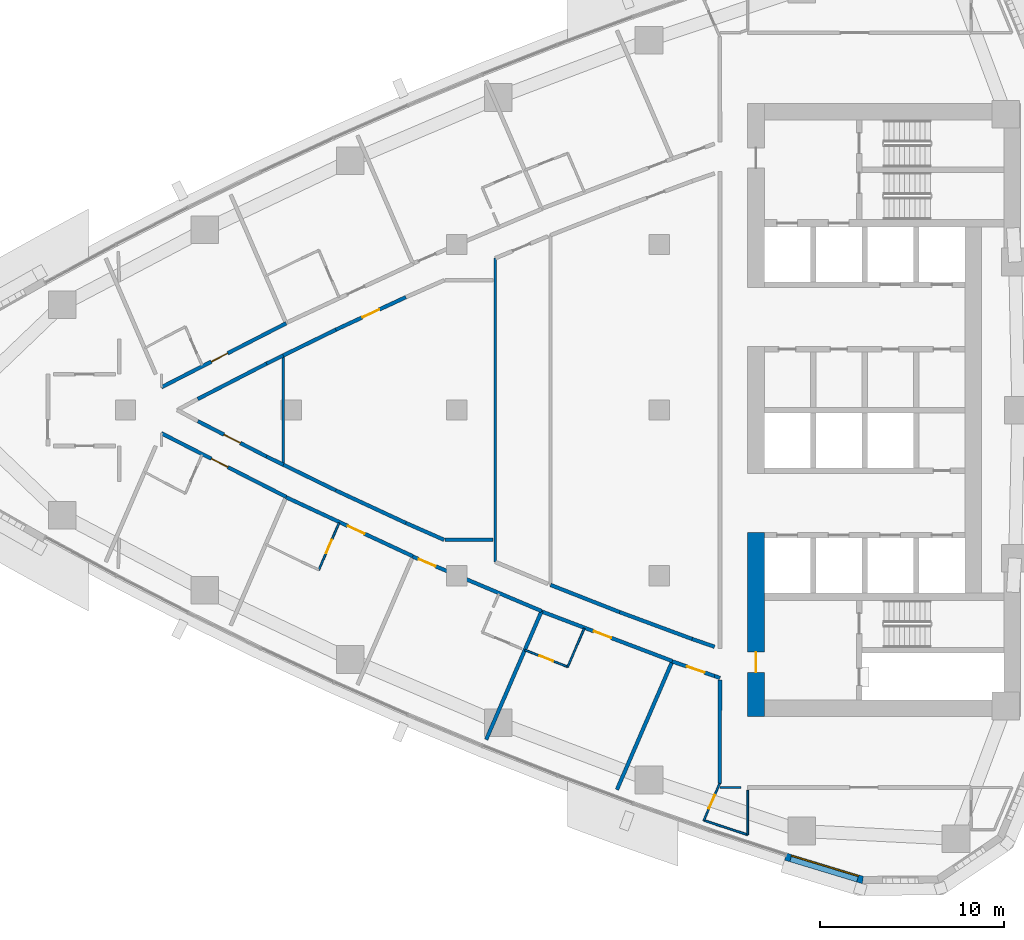
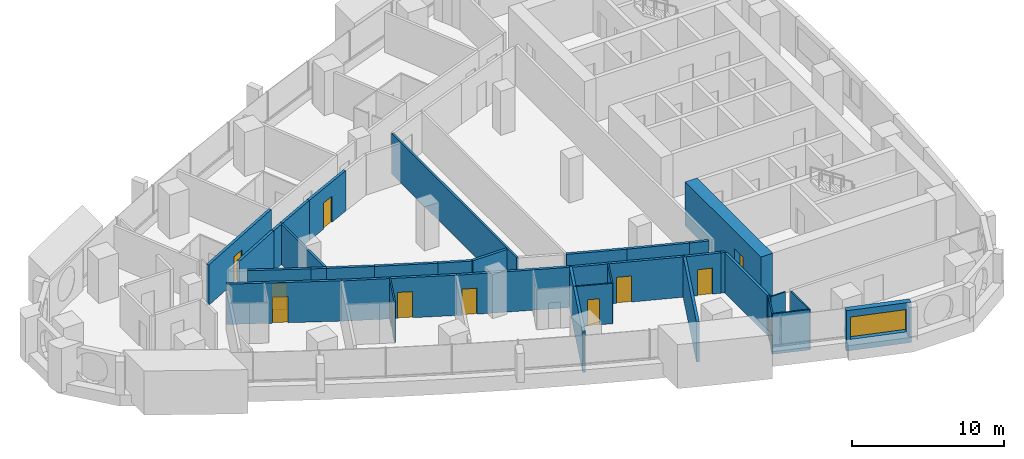
# One storey, part 9 of 17: 34 walls, 12 doors, 1 window, 13 openings.
"""IFC4 building model written with IfcOpenShell, lengths in metres."""

from ifc_helpers import new_model, si_unit, direction, frame, frame_2d, origin, place, context, subcontext, project, spatial, polyline, rectangle, outline, extrude, material, layer, layer_set, type_object, element, fill, save


model = new_model("IFC4")

# Units and contexts
model_context = context("Model", 3, precision=1e-05, world=origin(), true_north=direction((0.0, 1.0)))
body_context = subcontext(model_context, "Body", "Model", "MODEL_VIEW")
ifc_project = project(units=[si_unit("LENGTHUNIT", "METRE"), si_unit("AREAUNIT", "SQUARE_METRE"), si_unit("VOLUMEUNIT", "CUBIC_METRE"), si_unit("PLANEANGLEUNIT", "RADIAN"), si_unit("MASSUNIT", "GRAM", prefix="KILO")], contexts=[model_context])

# Site, building, storey
site_placement = place(None, origin())
site = spatial("IfcSite", under=ifc_project, at=site_placement, CompositionType="ELEMENT")
building_placement = place(site_placement, origin())
building = spatial("IfcBuilding", under=site, at=building_placement, Name="Ostrand Prow Hotel Tower", CompositionType="ELEMENT")
storey_placement = place(building_placement, frame((0.0, 0.0, 158.60009765625)))
storey = spatial("IfcBuildingStorey", under=building, at=storey_placement, Name="L39", CompositionType="ELEMENT", Elevation=158.60009765625)

# Wall, opening, door
ifc_material_1 = material(Name="Concrete C70/85", Category="concrete")
ifc_layer_1 = layer(ifc_material_1, 0.89990234375)
ifc_layer_set_1 = layer_set([ifc_layer_1], Name="Concrete C70/85")
wall_type_1 = type_object("IfcWallType", Name="Core wall 900 C70/85", PredefinedType="SHEAR", material=ifc_layer_set_1)
wall_1_placement = place(storey_placement, frame((50.25, -16.64990234375, 0.0), z_axis=(0.0, 0.0, 1.0), x_axis=(0.0, 1.0, 0.0)))
wall_1 = element("IfcWall", 1, at=wall_1_placement, inside=storey, type_object=wall_type_1, Name="Core wall CW-W-S", PredefinedType="SHEAR", context=body_context, shape_type="SweptSolid", body=[
    extrude(rectangle(XDim=10.0, YDim=0.89990234375, at=frame_2d((5.0, 0.0))), origin(), (0.0, 0.0, 1.0), 3.5498046875),
])
opening_1_placement = place(wall_1_placement, frame((2.39990234375, 0.0, 0.0)))
opening_1 = element("IfcOpeningElement", 2, at=opening_1_placement, cuts=wall_1, Name="Opening FD1", PredefinedType="OPENING", context=body_context, shape_type="SweptSolid", body=[
    extrude(rectangle(XDim=1.10009765625, YDim=2.10009765625, at=frame_2d((0.550048828125, 1.050048828125))), frame((0.0, 0.4599609375, 0.0), z_axis=(0.0, -1.0, 0.0), x_axis=(1.0, 0.0, 0.0)), (0.0, 0.0, 1.0), 0.919921875),
])
ifc_material_2 = material(Name="Steel fire door", Category="steel")
door_type_1 = type_object("IfcDoorType", Name="Fire door 1100 EI120", OperationType="SINGLE_SWING_RIGHT", PredefinedType="DOOR", material=ifc_material_2)
door_1_placement = place(opening_1_placement, origin())
door_1 = element("IfcDoor", 3, at=door_1_placement, inside=storey, type_object=door_type_1, Name="FIRE DOOR", OperationType="SINGLE_SWING_RIGHT", OverallHeight=2.10009765625, OverallWidth=1.10009765625, PredefinedType="DOOR", context=body_context, shape_type="SweptSolid", body=[
    extrude(rectangle(XDim=1.10009765625, YDim=2.10009765625, at=frame_2d((0.550048828125, 1.050048828125))), frame((0.0, 0.02490234375, 0.0), z_axis=(0.0, -1.0, 0.0), x_axis=(1.0, 0.0, 0.0)), (0.0, 0.0, 1.0), 0.050048828125),
])
fill(opening_1, door_1)

ifc_material_3 = material(Name="Plasterboard partition")
ifc_layer_2 = layer(ifc_material_3, 0.10009765625)
ifc_layer_set_2 = layer_set([ifc_layer_2], Name="Plasterboard partition")
wall_type_2 = type_object("IfcWallType", Name="Partition 100 bathroom wall", PredefinedType="PARTITIONING", material=ifc_layer_set_2)
wall_2_placement = place(storey_placement, frame((27.602783203125, -6.1279296875, 0.0), z_axis=(0.0, 0.0, 1.0), x_axis=(-0.396018464604, -0.918242547311, 0.0)))
wall_2 = element("IfcWall", 4, at=wall_2_placement, inside=storey, type_object=wall_type_2, Name="BATHROOM WALL", PredefinedType="PARTITIONING", context=body_context, shape_type="SweptSolid", body=[
    extrude(rectangle(XDim=2.77783203125, YDim=0.10009765625, at=frame_2d((1.388916015625, 0.0))), origin(), (0.0, 0.0, 1.0), 3.25),
])
opening_2_placement = place(wall_2_placement, frame((1.0, 0.0, 0.0)))
opening_2 = element("IfcOpeningElement", 5, at=opening_2_placement, cuts=wall_2, Name="Opening D2", PredefinedType="OPENING", context=body_context, shape_type="SweptSolid", body=[
    extrude(rectangle(XDim=0.800048828125, YDim=2.10009765625, at=frame_2d((0.39990234375, 1.050048828125))), frame((0.0, 0.06005859375, 0.0), z_axis=(0.0, -1.0, 0.0), x_axis=(1.0, 0.0, 0.0)), (0.0, 0.0, 1.0), 0.1201171875),
])
ifc_material_4 = material(Name="Timber door leaf", Category="wood")
door_type_2 = type_object("IfcDoorType", Name="Bathroom door 800", OperationType="SINGLE_SWING_LEFT", PredefinedType="DOOR", material=ifc_material_4)
door_2_placement = place(opening_2_placement, origin())
door_2 = element("IfcDoor", 6, at=door_2_placement, inside=storey, type_object=door_type_2, Name="DOOR", OperationType="SINGLE_SWING_LEFT", OverallHeight=2.10009765625, OverallWidth=0.800048828125, PredefinedType="DOOR", context=body_context, shape_type="SweptSolid", body=[
    extrude(rectangle(XDim=0.800048828125, YDim=2.10009765625, at=frame_2d((0.39990234375, 1.050048828125))), frame((0.0, 0.02490234375, 0.0), z_axis=(0.0, -1.0, 0.0), x_axis=(1.0, 0.0, 0.0)), (0.0, 0.0, 1.0), 0.050048828125),
])
fill(opening_2, door_2)

# Wall
wall_3_placement = place(storey_placement, frame((40.923095703125, -11.8564453125, 0.0), z_axis=(0.0, 0.0, 1.0), x_axis=(-0.39596178423, -0.918266990275, 0.0)))
element("IfcWall", 7, at=wall_3_placement, inside=storey, type_object=wall_type_2, Name="BATHROOM WALL", PredefinedType="PARTITIONING", context=body_context, shape_type="SweptSolid", body=[
    extrude(rectangle(XDim=2.2783203125, YDim=0.10009765625, at=frame_2d((1.13916015625, 0.0))), origin(), (0.0, 0.0, 1.0), 3.25),
])

# Wall, opening, door
wall_4_placement = place(storey_placement, frame((40.02099609375, -13.948486328125, 0.0), z_axis=(0.0, 0.0, 1.0), x_axis=(-0.930568677441, 0.366117380856, 0.0)))
wall_4 = element("IfcWall", 8, at=wall_4_placement, inside=storey, type_object=wall_type_2, Name="BATHROOM WALL", PredefinedType="PARTITIONING", context=body_context, shape_type="SweptSolid", body=[
    extrude(rectangle(XDim=2.501220703125, YDim=0.10009765625, at=frame_2d((1.25048828125, 0.0))), origin(), (0.0, 0.0, 1.0), 3.25),
])
opening_3_placement = place(wall_4_placement, frame((0.85009765625, 0.0, 0.0)))
opening_3 = element("IfcOpeningElement", 9, at=opening_3_placement, cuts=wall_4, Name="Opening D2", PredefinedType="OPENING", context=body_context, shape_type="SweptSolid", body=[
    extrude(rectangle(XDim=0.800048828125, YDim=2.10009765625, at=frame_2d((0.39990234375, 1.050048828125))), frame((0.0, 0.06005859375, 0.0), z_axis=(0.0, -1.0, 0.0), x_axis=(1.0, 0.0, 0.0)), (0.0, 0.0, 1.0), 0.1201171875),
])
door_3_placement = place(opening_3_placement, origin())
door_3 = element("IfcDoor", 10, at=door_3_placement, inside=storey, type_object=door_type_2, Name="DOOR", OperationType="SINGLE_SWING_LEFT", OverallHeight=2.10009765625, OverallWidth=0.800048828125, PredefinedType="DOOR", context=body_context, shape_type="SweptSolid", body=[
    extrude(rectangle(XDim=0.800048828125, YDim=2.10009765625, at=frame_2d((0.39990234375, 1.050048828125))), frame((0.0, 0.02490234375, 0.0), z_axis=(0.0, -1.0, 0.0), x_axis=(1.0, 0.0, 0.0)), (0.0, 0.0, 1.0), 0.050048828125),
])
fill(opening_3, door_3)

wall_5_placement = place(storey_placement, frame((47.416015625, -22.2890625, 0.0), z_axis=(0.0, 0.0, 1.0), x_axis=(0.396028123143, 0.918238381729, 0.0)))
wall_5 = element("IfcWall", 11, at=wall_5_placement, inside=storey, type_object=wall_type_2, Name="BATHROOM WALL", PredefinedType="PARTITIONING", context=body_context, shape_type="SweptSolid", body=[
    extrude(rectangle(XDim=2.1787109375, YDim=0.10009765625, at=frame_2d((1.08935546875, 0.0))), origin(), (0.0, 0.0, 1.0), 3.25),
])
opening_4_placement = place(wall_5_placement, frame((0.699951171875, 0.0, 0.0)))
opening_4 = element("IfcOpeningElement", 12, at=opening_4_placement, cuts=wall_5, Name="Opening D2", PredefinedType="OPENING", context=body_context, shape_type="SweptSolid", body=[
    extrude(rectangle(XDim=0.800048828125, YDim=2.10009765625, at=frame_2d((0.39990234375, 1.050048828125))), frame((0.0, 0.06005859375, 0.0), z_axis=(0.0, -1.0, 0.0), x_axis=(1.0, 0.0, 0.0)), (0.0, 0.0, 1.0), 0.1201171875),
])
door_4_placement = place(opening_4_placement, origin())
door_4 = element("IfcDoor", 13, at=door_4_placement, inside=storey, type_object=door_type_2, Name="DOOR", OperationType="SINGLE_SWING_LEFT", OverallHeight=2.10009765625, OverallWidth=0.800048828125, PredefinedType="DOOR", context=body_context, shape_type="SweptSolid", body=[
    extrude(rectangle(XDim=0.800048828125, YDim=2.10009765625, at=frame_2d((0.39990234375, 1.050048828125))), frame((0.0, 0.02490234375, 0.0), z_axis=(0.0, -1.0, 0.0), x_axis=(1.0, 0.0, 0.0)), (0.0, 0.0, 1.0), 0.050048828125),
])
fill(opening_4, door_4)

# Walls
wall_6_placement = place(storey_placement, frame((48.298583984375, -20.5048828125, 0.0), z_axis=(0.0, 0.0, 1.0), x_axis=(1.0, 0.0, 0.0)))
element("IfcWall", 14, at=wall_6_placement, inside=storey, type_object=wall_type_2, Name="BATHROOM WALL", PredefinedType="PARTITIONING", context=body_context, shape_type="SweptSolid", body=[
    extrude(rectangle(XDim=1.13525390625, YDim=0.10009765625, at=frame_2d((0.567626953125, 0.0))), origin(), (0.0, 0.0, 1.0), 3.25),
])
wall_7_placement = place(storey_placement, frame((49.800048828125, -20.65576171875, 0.0), z_axis=(0.0, 0.0, 1.0), x_axis=(0.0, -1.0, 0.0)))
element("IfcWall", 15, at=wall_7_placement, inside=storey, type_object=wall_type_2, Name="BATHROOM WALL", PredefinedType="PARTITIONING", context=body_context, shape_type="SweptSolid", body=[
    extrude(rectangle(XDim=2.41845703125, YDim=0.10009765625, at=frame_2d((1.209228515625, 0.0))), origin(), (0.0, 0.0, 1.0), 3.25),
])
wall_8_placement = place(storey_placement, frame((49.800048828125, -23.07421875, 0.0), z_axis=(0.0, 0.0, 1.0), x_axis=(-0.949844078437, 0.312723882455, 0.0)))
element("IfcWall", 16, at=wall_8_placement, inside=storey, type_object=wall_type_2, Name="BATHROOM WALL", PredefinedType="PARTITIONING", context=body_context, shape_type="SweptSolid", body=[
    extrude(rectangle(XDim=2.510009765625, YDim=0.10009765625, at=frame_2d((1.2548828125, 0.0))), origin(), (0.0, 0.0, 1.0), 3.25),
])
ifc_material_5 = material(Name="Plasterboard partition")
ifc_layer_3 = layer(ifc_material_5, 0.14990234375)
ifc_layer_set_3 = layer_set([ifc_layer_3], Name="Plasterboard partition")
wall_type_3 = type_object("IfcWallType", Name="Partition 150 room partition", PredefinedType="PARTITIONING", material=ifc_layer_set_3)
wall_9_placement = place(storey_placement, frame((24.572021484375, -2.968994140625, 0.0), z_axis=(0.0, 0.0, 1.0), x_axis=(0.0, 1.0, 0.0)))
element("IfcWall", 17, at=wall_9_placement, inside=storey, type_object=wall_type_3, Name="ROOM PARTITION", PredefinedType="PARTITIONING", context=body_context, shape_type="SweptSolid", body=[
    extrude(rectangle(XDim=5.93798828125, YDim=0.14990234375, at=frame_2d((2.968994140625, 0.0))), origin(), (0.0, 0.0, 1.0), 3.25),
])
wall_10_placement = place(storey_placement, frame((36.08740234375, -8.25048828125, 0.0), z_axis=(0.0, 0.0, 1.0), x_axis=(0.0, 1.0, 0.0)))
element("IfcWall", 18, at=wall_10_placement, inside=storey, type_object=wall_type_3, Name="ROOM PARTITION", PredefinedType="PARTITIONING", context=body_context, shape_type="SweptSolid", body=[
    extrude(rectangle(XDim=16.5009765625, YDim=0.14990234375, at=frame_2d((8.25048828125, 0.0))), origin(), (0.0, 0.0, 1.0), 3.25),
])

# Wall, opening, door
ifc_material_6 = material(Name="Plasterboard partition")
ifc_layer_4 = layer(ifc_material_6, 0.199951171875)
ifc_layer_set_4 = layer_set([ifc_layer_4], Name="Plasterboard partition")
wall_type_4 = type_object("IfcWallType", Name="Partition 200 corridor wall", PredefinedType="PARTITIONING", material=ifc_layer_set_4)
wall_11_placement = place(storey_placement, frame((17.949951171875, 1.238037109375, 0.0), z_axis=(0.0, 0.0, 1.0), x_axis=(0.889731352077, 0.456484524525, 0.0)))
wall_11 = element("IfcWall", 19, at=wall_11_placement, inside=storey, type_object=wall_type_4, Name="CORRIDOR WALL", PredefinedType="PARTITIONING", context=body_context, shape_type="SweptSolid", body=[
    extrude(rectangle(XDim=7.616943359375, YDim=0.199951171875, at=frame_2d((3.80859375, 0.0))), origin(), (0.0, 0.0, 1.0), 3.25),
])
opening_5_placement = place(wall_11_placement, frame((3.050048828125, 0.0, 0.0)))
opening_5 = element("IfcOpeningElement", 20, at=opening_5_placement, cuts=wall_11, Name="Opening D1", PredefinedType="OPENING", context=body_context, shape_type="SweptSolid", body=[
    extrude(rectangle(XDim=1.0, YDim=2.10009765625, at=frame_2d((0.5, 1.050048828125))), frame((0.0, 0.10986328125, 0.0), z_axis=(0.0, -1.0, 0.0), x_axis=(1.0, 0.0, 0.0)), (0.0, 0.0, 1.0), 0.219970703125),
])
ifc_material_7 = material(Name="Timber door leaf", Category="wood")
door_type_3 = type_object("IfcDoorType", Name="Guest room door 1000", OperationType="SINGLE_SWING_LEFT", PredefinedType="DOOR", material=ifc_material_7)
door_5_placement = place(opening_5_placement, origin())
door_5 = element("IfcDoor", 21, at=door_5_placement, inside=storey, type_object=door_type_3, Name="DOOR", OperationType="SINGLE_SWING_LEFT", OverallHeight=2.10009765625, OverallWidth=1.0, PredefinedType="DOOR", context=body_context, shape_type="SweptSolid", body=[
    extrude(rectangle(XDim=1.0, YDim=2.10009765625, at=frame_2d((0.5, 1.050048828125))), frame((0.0, 0.02490234375, 0.0), z_axis=(0.0, -1.0, 0.0), x_axis=(1.0, 0.0, 0.0)), (0.0, 0.0, 1.0), 0.050048828125),
])
fill(opening_5, door_5)

wall_12_placement = place(storey_placement, frame((17.949951171875, -1.2607421875, 0.0), z_axis=(0.0, 0.0, 1.0), x_axis=(0.890940521951, -0.454120013152, 0.0)))
wall_12 = element("IfcWall", 22, at=wall_12_placement, inside=storey, type_object=wall_type_4, Name="CORRIDOR WALL", PredefinedType="PARTITIONING", context=body_context, shape_type="SweptSolid", body=[
    extrude(rectangle(XDim=7.606689453125, YDim=0.199951171875, at=frame_2d((3.80322265625, 0.0))), origin(), (0.0, 0.0, 1.0), 3.25),
])
opening_6_placement = place(wall_12_placement, frame((3.050048828125, 0.0, 0.0)))
opening_6 = element("IfcOpeningElement", 23, at=opening_6_placement, cuts=wall_12, Name="Opening D1", PredefinedType="OPENING", context=body_context, shape_type="SweptSolid", body=[
    extrude(rectangle(XDim=1.0, YDim=2.10009765625, at=frame_2d((0.5, 1.050048828125))), frame((0.0, 0.10986328125, 0.0), z_axis=(0.0, -1.0, 0.0), x_axis=(1.0, 0.0, 0.0)), (0.0, 0.0, 1.0), 0.219970703125),
])
door_6_placement = place(opening_6_placement, origin())
door_6 = element("IfcDoor", 24, at=door_6_placement, inside=storey, type_object=door_type_3, Name="DOOR", OperationType="SINGLE_SWING_LEFT", OverallHeight=2.10009765625, OverallWidth=1.0, PredefinedType="DOOR", context=body_context, shape_type="SweptSolid", body=[
    extrude(rectangle(XDim=1.0, YDim=2.10009765625, at=frame_2d((0.5, 1.050048828125))), frame((0.0, 0.02490234375, 0.0), z_axis=(0.0, -1.0, 0.0), x_axis=(1.0, 0.0, 0.0)), (0.0, 0.0, 1.0), 0.050048828125),
])
fill(opening_6, door_6)

wall_13_placement = place(storey_placement, frame((24.71923828125, -4.7333984375, 0.0), z_axis=(0.0, 0.0, 1.0), x_axis=(0.906593711122, -0.422004553238, 0.0)))
wall_13 = element("IfcWall", 25, at=wall_13_placement, inside=storey, type_object=wall_type_4, Name="CORRIDOR WALL", PredefinedType="PARTITIONING", context=body_context, shape_type="SweptSolid", body=[
    extrude(rectangle(XDim=7.60302734375, YDim=0.199951171875, at=frame_2d((3.801513671875, 0.0))), origin(), (0.0, 0.0, 1.0), 3.25),
])
opening_7_placement = place(wall_13_placement, frame((3.699951171875, 0.0, 0.0)))
opening_7 = element("IfcOpeningElement", 26, at=opening_7_placement, cuts=wall_13, Name="Opening D1", PredefinedType="OPENING", context=body_context, shape_type="SweptSolid", body=[
    extrude(rectangle(XDim=1.0, YDim=2.10009765625, at=frame_2d((0.5, 1.050048828125))), frame((0.0, 0.10986328125, 0.0), z_axis=(0.0, -1.0, 0.0), x_axis=(1.0, 0.0, 0.0)), (0.0, 0.0, 1.0), 0.219970703125),
])
door_7_placement = place(opening_7_placement, origin())
door_7 = element("IfcDoor", 27, at=door_7_placement, inside=storey, type_object=door_type_3, Name="DOOR", OperationType="SINGLE_SWING_LEFT", OverallHeight=2.10009765625, OverallWidth=1.0, PredefinedType="DOOR", context=body_context, shape_type="SweptSolid", body=[
    extrude(rectangle(XDim=1.0, YDim=2.10009765625, at=frame_2d((0.5, 1.050048828125))), frame((0.0, 0.02490234375, 0.0), z_axis=(0.0, -1.0, 0.0), x_axis=(1.0, 0.0, 0.0)), (0.0, 0.0, 1.0), 0.050048828125),
])
fill(opening_7, door_7)

wall_14_placement = place(storey_placement, frame((31.604248046875, -7.960205078125, 0.0), z_axis=(0.0, 0.0, 1.0), x_axis=(0.921069634751, -0.389397904386, 0.0)))
wall_14 = element("IfcWall", 28, at=wall_14_placement, inside=storey, type_object=wall_type_4, Name="CORRIDOR WALL", PredefinedType="PARTITIONING", context=body_context, shape_type="SweptSolid", body=[
    extrude(rectangle(XDim=7.60009765625, YDim=0.199951171875, at=frame_2d((3.800048828125, 0.0))), origin(), (0.0, 0.0, 1.0), 3.25),
])
opening_8_placement = place(wall_14_placement, frame((0.35009765625, 0.0, 0.0)))
opening_8 = element("IfcOpeningElement", 29, at=opening_8_placement, cuts=wall_14, Name="Opening D1", PredefinedType="OPENING", context=body_context, shape_type="SweptSolid", body=[
    extrude(rectangle(XDim=1.0, YDim=2.10009765625, at=frame_2d((0.5, 1.050048828125))), frame((0.0, 0.10986328125, 0.0), z_axis=(0.0, -1.0, 0.0), x_axis=(1.0, 0.0, 0.0)), (0.0, 0.0, 1.0), 0.219970703125),
])
door_8_placement = place(opening_8_placement, origin())
door_8 = element("IfcDoor", 30, at=door_8_placement, inside=storey, type_object=door_type_3, Name="DOOR", OperationType="SINGLE_SWING_LEFT", OverallHeight=2.10009765625, OverallWidth=1.0, PredefinedType="DOOR", context=body_context, shape_type="SweptSolid", body=[
    extrude(rectangle(XDim=1.0, YDim=2.10009765625, at=frame_2d((0.5, 1.050048828125))), frame((0.0, 0.02490234375, 0.0), z_axis=(0.0, -1.0, 0.0), x_axis=(1.0, 0.0, 0.0)), (0.0, 0.0, 1.0), 0.050048828125),
])
fill(opening_8, door_8)

wall_15_placement = place(storey_placement, frame((38.5966796875, -10.93798828125, 0.0), z_axis=(0.0, 0.0, 1.0), x_axis=(0.934963762263, -0.354743235672, 0.0)))
wall_15 = element("IfcWall", 31, at=wall_15_placement, inside=storey, type_object=wall_type_4, Name="CORRIDOR WALL", PredefinedType="PARTITIONING", context=body_context, shape_type="SweptSolid", body=[
    extrude(rectangle(XDim=7.607666015625, YDim=0.199951171875, at=frame_2d((3.8037109375, 0.0))), origin(), (0.0, 0.0, 1.0), 3.25),
])
opening_9_placement = place(wall_15_placement, frame((3.050048828125, 0.0, 0.0)))
opening_9 = element("IfcOpeningElement", 32, at=opening_9_placement, cuts=wall_15, Name="Opening D1", PredefinedType="OPENING", context=body_context, shape_type="SweptSolid", body=[
    extrude(rectangle(XDim=1.0, YDim=2.10009765625, at=frame_2d((0.5, 1.050048828125))), frame((0.0, 0.10986328125, 0.0), z_axis=(0.0, -1.0, 0.0), x_axis=(1.0, 0.0, 0.0)), (0.0, 0.0, 1.0), 0.219970703125),
])
door_9_placement = place(opening_9_placement, origin())
door_9 = element("IfcDoor", 33, at=door_9_placement, inside=storey, type_object=door_type_3, Name="DOOR", OperationType="SINGLE_SWING_LEFT", OverallHeight=2.10009765625, OverallWidth=1.0, PredefinedType="DOOR", context=body_context, shape_type="SweptSolid", body=[
    extrude(rectangle(XDim=1.0, YDim=2.10009765625, at=frame_2d((0.5, 1.050048828125))), frame((0.0, 0.02490234375, 0.0), z_axis=(0.0, -1.0, 0.0), x_axis=(1.0, 0.0, 0.0)), (0.0, 0.0, 1.0), 0.050048828125),
])
fill(opening_9, door_9)

wall_16_placement = place(storey_placement, frame((23.65869140625, -2.52197265625, 0.0), z_axis=(0.0, 0.0, 1.0), x_axis=(-0.889140337289, 0.457634636589, 0.0)))
wall_16 = element("IfcWall", 34, at=wall_16_placement, inside=storey, type_object=wall_type_4, Name="CORRIDOR WALL", PredefinedType="PARTITIONING", context=body_context, shape_type="SweptSolid", body=[
    extrude(rectangle(XDim=4.1953125, YDim=0.199951171875, at=frame_2d((2.09765625, 0.0))), origin(), (0.0, 0.0, 1.0), 3.25),
])
opening_10_placement = place(wall_16_placement, frame((1.59765625, 0.0, 0.0)))
opening_10 = element("IfcOpeningElement", 35, at=opening_10_placement, cuts=wall_16, Name="Opening D1R", PredefinedType="OPENING", context=body_context, shape_type="SweptSolid", body=[
    extrude(rectangle(XDim=1.0, YDim=2.10009765625, at=frame_2d((0.5, 1.050048828125))), frame((0.0, 0.10986328125, 0.0), z_axis=(0.0, -1.0, 0.0), x_axis=(1.0, 0.0, 0.0)), (0.0, 0.0, 1.0), 0.219970703125),
])
ifc_material_8 = material(Name="Timber door leaf", Category="wood")
door_type_4 = type_object("IfcDoorType", Name="Guest room door 1000 right", OperationType="SINGLE_SWING_RIGHT", PredefinedType="DOOR", material=ifc_material_8)
door_10_placement = place(opening_10_placement, origin())
door_10 = element("IfcDoor", 36, at=door_10_placement, inside=storey, type_object=door_type_4, Name="DOOR", OperationType="SINGLE_SWING_RIGHT", OverallHeight=2.10009765625, OverallWidth=1.0, PredefinedType="DOOR", context=body_context, shape_type="SweptSolid", body=[
    extrude(rectangle(XDim=1.0, YDim=2.10009765625, at=frame_2d((0.5, 1.050048828125))), frame((0.0, 0.02490234375, 0.0), z_axis=(0.0, -1.0, 0.0), x_axis=(1.0, 0.0, 0.0)), (0.0, 0.0, 1.0), 0.050048828125),
])
fill(opening_10, door_10)

# Walls
wall_17_placement = place(storey_placement, frame((19.928466796875, 0.60205078125, 0.0), z_axis=(0.0, 0.0, 1.0), x_axis=(0.889140337289, 0.457634636589, 0.0)))
element("IfcWall", 37, at=wall_17_placement, inside=storey, type_object=wall_type_4, Name="CORRIDOR WALL", PredefinedType="PARTITIONING", context=body_context, shape_type="SweptSolid", body=[
    extrude(rectangle(XDim=4.1953125, YDim=0.199951171875, at=frame_2d((2.09765625, 0.0))), origin(), (0.0, 0.0, 1.0), 3.25),
])
for number, where, z_axis, x_axis, name in (
    (38, (23.65869140625, 2.52197265625, 0.0), (0.0, 0.0, 1.0), (0.898188484258, 0.439610562597, 0.0), "CORRIDOR WALL"),
    (39, (24.572021484375, -2.968994140625, 0.0), (0.0, 0.0, 1.0), (-0.898188484258, 0.439610562597, 0.0), "CORRIDOR WALL"),
):
    element("IfcWall", number, at=place(storey_placement, frame(where, z_axis=z_axis, x_axis=x_axis)), inside=storey, type_object=wall_type_4, Name=name, PredefinedType="PARTITIONING", context=body_context, shape_type="SweptSolid", body=[
        extrude(rectangle(XDim=1.016845703125, YDim=0.199951171875, at=frame_2d((0.50830078125, 0.0))), origin(), (0.0, 0.0, 1.0), 3.25),
    ])

# Wall, opening, door
wall_18_placement = place(storey_placement, frame((27.4267578125, 4.36669921875, 0.0), z_axis=(0.0, 0.0, 1.0), x_axis=(0.906830275285, 0.421495968933, 0.0)))
wall_18 = element("IfcWall", 40, at=wall_18_placement, inside=storey, type_object=wall_type_4, Name="CORRIDOR WALL", PredefinedType="PARTITIONING", context=body_context, shape_type="SweptSolid", body=[
    extrude(rectangle(XDim=4.1953125, YDim=0.199951171875, at=frame_2d((2.09765625, 0.0))), origin(), (0.0, 0.0, 1.0), 3.25),
])
opening_11_placement = place(wall_18_placement, frame((1.59765625, 0.0, 0.0)))
opening_11 = element("IfcOpeningElement", 41, at=opening_11_placement, cuts=wall_18, Name="Opening D1", PredefinedType="OPENING", context=body_context, shape_type="SweptSolid", body=[
    extrude(rectangle(XDim=1.0, YDim=2.10009765625, at=frame_2d((0.5, 1.050048828125))), frame((0.0, 0.10986328125, 0.0), z_axis=(0.0, -1.0, 0.0), x_axis=(1.0, 0.0, 0.0)), (0.0, 0.0, 1.0), 0.219970703125),
])
door_11_placement = place(opening_11_placement, origin())
door_11 = element("IfcDoor", 42, at=door_11_placement, inside=storey, type_object=door_type_3, Name="DOOR", OperationType="SINGLE_SWING_LEFT", OverallHeight=2.10009765625, OverallWidth=1.0, PredefinedType="DOOR", context=body_context, shape_type="SweptSolid", body=[
    extrude(rectangle(XDim=1.0, YDim=2.10009765625, at=frame_2d((0.5, 1.050048828125))), frame((0.0, 0.02490234375, 0.0), z_axis=(0.0, -1.0, 0.0), x_axis=(1.0, 0.0, 0.0)), (0.0, 0.0, 1.0), 0.050048828125),
])
fill(opening_11, door_11)

# Walls
wall_19_placement = place(storey_placement, frame((33.307861328125, -7.050048828125, 0.0), z_axis=(0.0, 0.0, 1.0), x_axis=(-0.915102334452, 0.403221672881, 0.0)))
element("IfcWall", 43, at=wall_19_placement, inside=storey, type_object=wall_type_4, Name="CORRIDOR WALL", PredefinedType="PARTITIONING", context=body_context, shape_type="SweptSolid", body=[
    extrude(rectangle(XDim=2.269287109375, YDim=0.199951171875, at=frame_2d((1.134765625, 0.0))), origin(), (0.0, 0.0, 1.0), 3.25),
])
wall_20_placement = place(storey_placement, frame((31.231201171875, -6.135009765625, 0.0), z_axis=(0.0, 0.0, 1.0), x_axis=(-0.906830275285, 0.421495968933, 0.0)))
element("IfcWall", 44, at=wall_20_placement, inside=storey, type_object=wall_type_4, Name="CORRIDOR WALL", PredefinedType="PARTITIONING", context=body_context, shape_type="SweptSolid", body=[
    extrude(rectangle(XDim=4.1953125, YDim=0.199951171875, at=frame_2d((2.09765625, 0.0))), origin(), (0.0, 0.0, 1.0), 3.25),
])
for number, where, z_axis, x_axis, name in (
    (45, (27.4267578125, -4.36669921875, 0.0), (0.0, 0.0, 1.0), (-0.898128954367, 0.439732169995, 0.0), "CORRIDOR WALL"),
    (46, (24.572021484375, 2.968994140625, 0.0), (0.0, 0.0, 1.0), (0.898128954367, 0.439732169995, 0.0), "CORRIDOR WALL"),
):
    element("IfcWall", number, at=place(storey_placement, frame(where, z_axis=z_axis, x_axis=x_axis)), inside=storey, type_object=wall_type_4, Name=name, PredefinedType="PARTITIONING", context=body_context, shape_type="SweptSolid", body=[
        extrude(rectangle(XDim=3.178466796875, YDim=0.199951171875, at=frame_2d((1.58935546875, 0.0))), origin(), (0.0, 0.0, 1.0), 3.25),
    ])
wall_21_placement = place(storey_placement, frame((46.78125, -12.43408203125, 0.0), z_axis=(0.0, 0.0, 1.0), x_axis=(-0.937732614305, 0.347357948044, 0.0)))
element("IfcWall", 47, at=wall_21_placement, inside=storey, type_object=wall_type_4, Name="CORRIDOR WALL", PredefinedType="PARTITIONING", context=body_context, shape_type="SweptSolid", body=[
    extrude(rectangle(XDim=4.1953125, YDim=0.199951171875, at=frame_2d((2.09765625, 0.0))), origin(), (0.0, 0.0, 1.0), 3.25),
])
wall_22_placement = place(storey_placement, frame((42.84716796875, -10.976806640625, 0.0), z_axis=(0.0, 0.0, 1.0), x_axis=(-0.930586875578, 0.366071122873, 0.0)))
element("IfcWall", 48, at=wall_22_placement, inside=storey, type_object=wall_type_4, Name="CORRIDOR WALL", PredefinedType="PARTITIONING", context=body_context, shape_type="SweptSolid", body=[
    extrude(rectangle(XDim=4.040283203125, YDim=0.199951171875, at=frame_2d((2.02001953125, 0.0))), origin(), (0.0, 0.0, 1.0), 3.25),
])

# Wall, opening, door
wall_23_placement = place(storey_placement, frame((45.70166015625, -13.655029296875, 0.0), z_axis=(0.0, 0.0, 1.0), x_axis=(0.945472196346, -0.325702818435, 0.0)))
wall_23 = element("IfcWall", 49, at=wall_23_placement, inside=storey, type_object=wall_type_4, Name="CORRIDOR WALL", PredefinedType="PARTITIONING", context=body_context, shape_type="SweptSolid", body=[
    extrude(rectangle(XDim=2.430908203125, YDim=0.199951171875, at=frame_2d((1.21533203125, 0.0))), origin(), (0.0, 0.0, 1.0), 3.25),
])
opening_12_placement = place(wall_23_placement, frame((0.85009765625, 0.0, 0.0)))
opening_12 = element("IfcOpeningElement", 50, at=opening_12_placement, cuts=wall_23, Name="Opening D1", PredefinedType="OPENING", context=body_context, shape_type="SweptSolid", body=[
    extrude(rectangle(XDim=1.0, YDim=2.10009765625, at=frame_2d((0.5, 1.050048828125))), frame((0.0, 0.10986328125, 0.0), z_axis=(0.0, -1.0, 0.0), x_axis=(1.0, 0.0, 0.0)), (0.0, 0.0, 1.0), 0.219970703125),
])
door_12_placement = place(opening_12_placement, origin())
door_12 = element("IfcDoor", 51, at=door_12_placement, inside=storey, type_object=door_type_3, Name="DOOR", OperationType="SINGLE_SWING_LEFT", OverallHeight=2.10009765625, OverallWidth=1.0, PredefinedType="DOOR", context=body_context, shape_type="SweptSolid", body=[
    extrude(rectangle(XDim=1.0, YDim=2.10009765625, at=frame_2d((0.5, 1.050048828125))), frame((0.0, 0.02490234375, 0.0), z_axis=(0.0, -1.0, 0.0), x_axis=(1.0, 0.0, 0.0)), (0.0, 0.0, 1.0), 0.050048828125),
])
fill(opening_12, door_12)

# Walls
wall_24_placement = place(storey_placement, frame((48.0, -12.85791015625, 0.0), z_axis=(0.0, 0.0, 1.0), x_axis=(-0.944517215109, 0.328461916152, 0.0)))
element("IfcWall", 52, at=wall_24_placement, inside=storey, type_object=wall_type_4, Name="CORRIDOR WALL", PredefinedType="PARTITIONING", context=body_context, shape_type="SweptSolid", body=[
    extrude(rectangle(XDim=1.290283203125, YDim=0.199951171875, at=frame_2d((0.64501953125, 0.0))), origin(), (0.0, 0.0, 1.0), 3.25),
])
wall_25_placement = place(storey_placement, frame((35.951904296875, -7.04541015625, 0.0), z_axis=(0.0, 0.0, 1.0), x_axis=(-0.999999982426, 0.000187476562, 0.0)))
element("IfcWall", 53, at=wall_25_placement, inside=storey, type_object=wall_type_4, Name="CORRIDOR WALL", PredefinedType="PARTITIONING", context=body_context, shape_type="SweptSolid", body=[
    extrude(rectangle(XDim=2.6044921875, YDim=0.199951171875, at=frame_2d((1.30224609375, 0.0))), origin(), (0.0, 0.0, 1.0), 3.25),
])
wall_26_placement = place(storey_placement, frame((48.0, -14.44677734375, 0.0), z_axis=(0.0, 0.0, 1.0), x_axis=(0.940111128087, -0.3408681077, 0.0)))
element("IfcWall", 54, at=wall_26_placement, inside=storey, type_object=wall_type_4, Name="CORRIDOR WALL", PredefinedType="PARTITIONING", context=body_context, shape_type="SweptSolid", body=[
    extrude(rectangle(XDim=0.313720703125, YDim=0.199951171875, at=frame_2d((0.15673828125, 0.0))), origin(), (0.0, 0.0, 1.0), 3.25),
])
wall_27_placement = place(storey_placement, frame((48.294921875, -14.673583984375, 0.0), z_axis=(0.0, 0.0, 1.0), x_axis=(-0.00286967817, -0.999995882465, 0.0)))
element("IfcWall", 55, at=wall_27_placement, inside=storey, type_object=wall_type_4, Name="CORRIDOR WALL", PredefinedType="PARTITIONING", context=body_context, shape_type="SweptSolid", body=[
    extrude(rectangle(XDim=5.614990234375, YDim=0.199951171875, at=frame_2d((2.8076171875, 0.0))), origin(), (0.0, 0.0, 1.0), 3.25),
])
ifc_material_9 = material(Name="Plasterboard partition")
ifc_layer_5 = layer(ifc_material_9, 0.199951171875)
ifc_layer_set_5 = layer_set([ifc_layer_5], Name="Plasterboard partition")
wall_type_5 = type_object("IfcWallType", Name="Partition 200 key partition", PredefinedType="PARTITIONING", material=ifc_layer_set_5)
wall_28_placement = place(storey_placement, frame((35.593505859375, -17.902099609375, 0.0), z_axis=(0.0, 0.0, 1.0), x_axis=(0.395975928923, 0.918260890877, 0.0)))
element("IfcWall", 56, at=wall_28_placement, inside=storey, type_object=wall_type_5, Name="KEY PARTITION", PredefinedType="PARTITIONING", context=body_context, shape_type="SweptSolid", body=[
    extrude(rectangle(XDim=7.60400390625, YDim=0.199951171875, at=frame_2d((3.802001953125, 0.0))), origin(), (0.0, 0.0, 1.0), 3.25),
])
wall_29_placement = place(storey_placement, frame((42.69580078125, -20.625, 0.0), z_axis=(0.0, 0.0, 1.0), x_axis=(0.395993528256, 0.918253301426, 0.0)))
element("IfcWall", 57, at=wall_29_placement, inside=storey, type_object=wall_type_5, Name="KEY PARTITION", PredefinedType="PARTITIONING", context=body_context, shape_type="SweptSolid", body=[
    extrude(rectangle(XDim=7.6103515625, YDim=0.199951171875, at=frame_2d((3.80517578125, 0.0))), origin(), (0.0, 0.0, 1.0), 3.25),
])

# Wall, opening, window
ifc_material_10 = material(Name="Precast concrete C40/50", Category="concrete")
ifc_layer_6 = layer(ifc_material_10, 0.39990234375)
ifc_layer_set_6 = layer_set([ifc_layer_6], Name="Precast concrete C40/50")
wall_type_6 = type_object("IfcWallType", Name="Stone-faced precast wall 400 mm", PredefinedType="NOTDEFINED", material=ifc_layer_set_6)
wall_30_placement = place(storey_placement, frame((51.85888671875, -24.257080078125, 0.0), z_axis=(0.0, 0.0, 1.0), x_axis=(0.956964488344, -0.290205044837, 0.0)))
wall_30 = element("IfcWall", 58, at=wall_30_placement, inside=storey, type_object=wall_type_6, Name="Stone-faced wall back 1", PredefinedType="NOTDEFINED", context=body_context, shape_type="SweptSolid", body=[
    extrude(outline(polyline([(0.0, -0.199951171875), (4.41845703125, -0.199951171875), (4.357421875, 0.199951171875), (0.0, 0.199951171875), (0.0, -0.199951171875)])), origin(), (0.0, 0.0, 1.0), 3.25),
])
opening_13_placement = place(wall_30_placement, frame((0.2939453125, 0.0, 0.89990234375)))
opening_13 = element("IfcOpeningElement", 59, at=opening_13_placement, cuts=wall_30, Name="Opening WS3-38", PredefinedType="OPENING", context=body_context, shape_type="SweptSolid", body=[
    extrude(rectangle(XDim=3.800048828125, YDim=1.800048828125, at=frame_2d((1.89990234375, 0.89990234375))), frame((0.0, 0.2099609375, 0.0), z_axis=(0.0, -1.0, 0.0), x_axis=(1.0, 0.0, 0.0)), (0.0, 0.0, 1.0), 0.419921875),
])
ifc_material_11 = material(Name="Insulated glass in bronze frame", Category="glass")
window_type = type_object("IfcWindowType", Name="Strip window 3800x1800", PartitioningType="SINGLE_PANEL", PredefinedType="WINDOW", material=ifc_material_11)
window_placement = place(opening_13_placement, origin())
window = element("IfcWindow", 60, at=window_placement, inside=storey, type_object=window_type, Name="Window back 1.1", OverallHeight=1.800048828125, OverallWidth=3.800048828125, PartitioningType="SINGLE_PANEL", PredefinedType="WINDOW", context=body_context, shape_type="SweptSolid", body=[
    extrude(rectangle(XDim=3.800048828125, YDim=1.800048828125, at=frame_2d((1.89990234375, 0.89990234375))), frame((0.0, 0.169921875, 0.0), z_axis=(0.0, -1.0, 0.0), x_axis=(1.0, 0.0, 0.0)), (0.0, 0.0, 1.0), 0.06005859375),
])
fill(opening_13, window)

save(model, "model.ifc")
